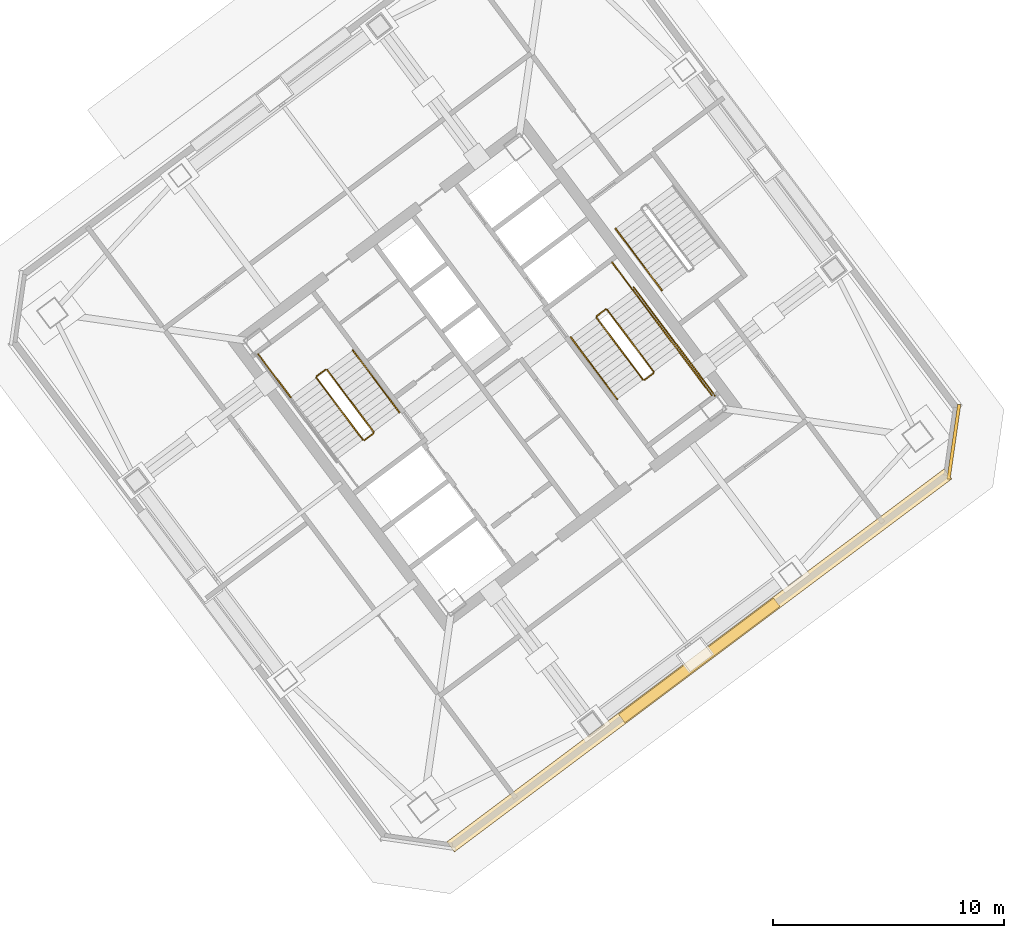
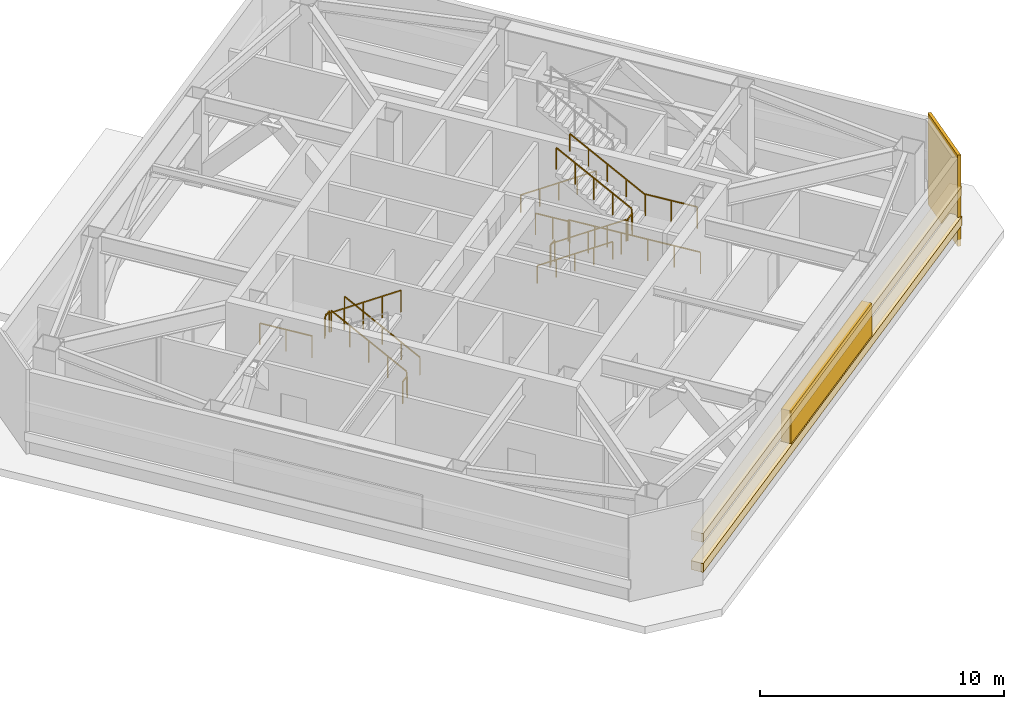
# One storey, part 13 of 15: 16 railings, 3 coverings, 1 shading device.
"""IFC4 building model written with IfcOpenShell, lengths in metres."""

from ifc_helpers import new_model, si_unit, direction, frame, origin, origin_2d, place, context, subcontext, project, spatial, rectangle, extrude, material, layer, layer_set, type_object, element, save


model = new_model("IFC4")

# Units and contexts
model_context = context("Model", 3, precision=1e-05, world=origin(), true_north=direction((0.0, 1.0)))
body_context = subcontext(model_context, "Body", "Model", "MODEL_VIEW")
ifc_project = project(units=[si_unit("LENGTHUNIT", "METRE"), si_unit("AREAUNIT", "SQUARE_METRE"), si_unit("VOLUMEUNIT", "CUBIC_METRE"), si_unit("PLANEANGLEUNIT", "RADIAN"), si_unit("MASSUNIT", "GRAM", prefix="KILO")], contexts=[model_context])

# Site, building, storey
site_placement = place(None, origin())
site = spatial("IfcSite", under=ifc_project, at=site_placement, CompositionType="ELEMENT")
building_placement = place(site_placement, origin())
building = spatial("IfcBuilding", under=site, at=building_placement, Name="Tashvorn Skyway Center", CompositionType="ELEMENT")
storey_placement = place(building_placement, frame((0.0, 0.0, 199.60009765625)))
storey = spatial("IfcBuildingStorey", under=building, at=storey_placement, Name="L54", CompositionType="ELEMENT", Elevation=199.60009765625)

# Coverings
ifc_material_1 = material(Name="Perforated ceramic-coated bronze aluminium solar screen", Category="aluminium")
ifc_layer_1 = layer(ifc_material_1, 0.85009765625)
ifc_layer_set_1 = layer_set([ifc_layer_1], Name="Perforated ceramic-coated bronze aluminium solar screen")
covering_type_1 = type_object("IfcCoveringType", Name="COV-SOLAR-BAND", PredefinedType="CLADDING", material=ifc_layer_set_1)
for number, where, z_axis, x_axis, name in (
    (1, (123.2880859375, 19.615966796875, 1.030029296875), (0.0, 0.0, 1.0), (-0.799999996291, -0.600000004945, 0.0), "Tower 2 L54 South Belt Acoustic Louvre Band 1"),
    (2, (123.2880859375, 19.615966796875, 2.530029296875), (0.0, 0.0, 1.0), (-0.799999996291, -0.600000004945, 0.0), "Tower 2 L54 South Belt Acoustic Louvre Band 2"),
):
    element("IfcCovering", number, at=place(storey_placement, frame(where, z_axis=z_axis, x_axis=x_axis)), inside=storey, type_object=covering_type_1, Name=name, PredefinedType="CLADDING", context=body_context, shape_type="SweptSolid", body=[
        extrude(rectangle(XDim=26.9599609375, YDim=0.550048828125, at=origin_2d()), origin(), (0.0, 0.0, 1.0), 0.43994140625),
    ])
ifc_material_2 = material(Name="Precast concrete C40/50", Category="concrete")
ifc_layer_2 = layer(ifc_material_2, 0.35009765625)
ifc_layer_set_2 = layer_set([ifc_layer_2], Name="Precast concrete C40/50")
covering_type_2 = type_object("IfcCoveringType", Name="COV-STONE-TRIM", PredefinedType="CLADDING", material=ifc_layer_set_2)
covering_placement = place(storey_placement, frame((134.327880859375, 29.095947265625, 0.019775390625), z_axis=(0.0, 0.0, 1.0), x_axis=(0.141421350118, 0.989949494535, 0.0)))
element("IfcCovering", 3, at=covering_placement, inside=storey, type_object=covering_type_2, Name="Tower 2 L54 SE Mojave Limestone Corner Quoin", PredefinedType="CLADDING", context=body_context, shape_type="SweptSolid", body=[
    extrude(rectangle(XDim=3.271240234375, YDim=0.139892578125, at=origin_2d()), origin(), (0.0, 0.0, 1.0), 4.56005859375),
])

# Railings
ifc_material_3 = material(Name="Brushed stainless steel 316", Category="steel")
railing_type_1 = type_object("IfcRailingType", Name="RAIL-HAND-920", PredefinedType="HANDRAIL", material=ifc_material_3)
railing_1_placement = place(storey_placement, frame((110.2880859375, 30.365966796875, 0.1767578125)))
element("IfcRailing", 4, at=railing_1_placement, inside=storey, type_object=railing_type_1, Name="L54 ST-T2-1 stair handrail 1", PredefinedType="HANDRAIL", context=body_context, shape_type="SweptSolid", body=[
    extrude(rectangle(XDim=0.048095703125, YDim=0.048095703125, at=origin_2d()), frame((0.0, 0.0, 0.8759765625), z_axis=(-0.507251334297, 0.676294162098, 0.53415567971), x_axis=(-0.79998256135, -0.600023250829, 0.0)), (0.0, 0.0, 1.0), 3.974609375),
    extrude(rectangle(XDim=0.0419921875, YDim=0.0419921875, at=origin_2d()), origin(), (0.0, 0.0, 1.0), 0.851806640625),
    extrude(rectangle(XDim=0.0419921875, YDim=0.0419921875, at=origin_2d()), frame((-0.50390625, 0.671875, 0.53076171875)), (0.0, 0.0, 1.0), 0.851806640625),
    extrude(rectangle(XDim=0.0419921875, YDim=0.0419921875, at=origin_2d()), frame((-1.008056640625, 1.343994140625, 1.0615234375)), (0.0, 0.0, 1.0), 0.851806640625),
    extrude(rectangle(XDim=0.0419921875, YDim=0.0419921875, at=origin_2d()), frame((-1.51220703125, 2.01611328125, 1.59228515625)), (0.0, 0.0, 1.0), 0.851806640625),
    extrude(rectangle(XDim=0.0419921875, YDim=0.0419921875, at=origin_2d()), frame((-2.01611328125, 2.68798828125, 2.123046875)), (0.0, 0.0, 1.0), 0.851806640625),
])
railing_2_placement = place(storey_placement, frame((117.7119140625, 33.634033203125, 0.1767578125)))
element("IfcRailing", 5, at=railing_2_placement, inside=storey, type_object=railing_type_1, Name="L54 ST-T2-2 stair handrail 1", PredefinedType="HANDRAIL", context=body_context, shape_type="SweptSolid", body=[
    extrude(rectangle(XDim=0.048095703125, YDim=0.048095703125, at=origin_2d()), frame((0.0, 0.0, 0.8759765625), z_axis=(0.507251334297, -0.676294162098, 0.53415567971), x_axis=(0.79998256135, 0.600023250829, 0.0)), (0.0, 0.0, 1.0), 3.974609375),
    extrude(rectangle(XDim=0.0419921875, YDim=0.0419921875, at=origin_2d()), origin(), (0.0, 0.0, 1.0), 0.851806640625),
    extrude(rectangle(XDim=0.0419921875, YDim=0.0419921875, at=origin_2d()), frame((0.50390625, -0.671875, 0.53076171875)), (0.0, 0.0, 1.0), 0.851806640625),
    extrude(rectangle(XDim=0.0419921875, YDim=0.0419921875, at=origin_2d()), frame((1.008056640625, -1.343994140625, 1.0615234375)), (0.0, 0.0, 1.0), 0.851806640625),
    extrude(rectangle(XDim=0.0419921875, YDim=0.0419921875, at=origin_2d()), frame((1.51220703125, -2.01611328125, 1.59228515625)), (0.0, 0.0, 1.0), 0.851806640625),
    extrude(rectangle(XDim=0.0419921875, YDim=0.0419921875, at=origin_2d()), frame((2.01611328125, -2.68798828125, 2.123046875)), (0.0, 0.0, 1.0), 0.851806640625),
])
railing_3_placement = place(storey_placement, frame((122.431884765625, 32.97412109375, 2.476806640625)))
element("IfcRailing", 6, at=railing_3_placement, inside=storey, type_object=railing_type_1, Name="L54 ST-T2-2 stair handrail 2", PredefinedType="HANDRAIL", context=body_context, shape_type="SweptSolid", body=[
    extrude(rectangle(XDim=0.048095703125, YDim=0.048095703125, at=origin_2d()), frame((0.0, 0.0, 0.8759765625), z_axis=(-0.507205711726, 0.676315233875, 0.534172322777), x_axis=(-0.800017438734, -0.59997674765, 0.0)), (0.0, 0.0, 1.0), 3.974365234375),
    extrude(rectangle(XDim=0.0419921875, YDim=0.0419921875, at=origin_2d()), origin(), (0.0, 0.0, 1.0), 0.851806640625),
    extrude(rectangle(XDim=0.0419921875, YDim=0.0419921875, at=origin_2d()), frame((-0.50390625, 0.671875, 0.53076171875)), (0.0, 0.0, 1.0), 0.851806640625),
    extrude(rectangle(XDim=0.0419921875, YDim=0.0419921875, at=origin_2d()), frame((-1.0078125, 1.343994140625, 1.0615234375)), (0.0, 0.0, 1.0), 0.851806640625),
    extrude(rectangle(XDim=0.0419921875, YDim=0.0419921875, at=origin_2d()), frame((-1.511962890625, 2.01611328125, 1.59228515625)), (0.0, 0.0, 1.0), 0.851806640625),
    extrude(rectangle(XDim=0.0419921875, YDim=0.0419921875, at=origin_2d()), frame((-2.015869140625, 2.68798828125, 2.123046875)), (0.0, 0.0, 1.0), 0.851806640625),
])
railing_4_placement = place(storey_placement, frame((119.656005859375, 38.342041015625, 0.1767578125)))
element("IfcRailing", 7, at=railing_4_placement, inside=storey, type_object=railing_type_1, Name="L54 ST-T2-3 stair handrail 1", PredefinedType="HANDRAIL", context=body_context, shape_type="SweptSolid", body=[
    extrude(rectangle(XDim=0.048095703125, YDim=0.048095703125, at=origin_2d()), frame((0.0, 0.0, 0.8759765625), z_axis=(0.507251334297, -0.676294162098, 0.53415567971), x_axis=(0.79998256135, 0.600023250829, 0.0)), (0.0, 0.0, 1.0), 3.974609375),
    extrude(rectangle(XDim=0.0419921875, YDim=0.0419921875, at=origin_2d()), origin(), (0.0, 0.0, 1.0), 0.851806640625),
    extrude(rectangle(XDim=0.0419921875, YDim=0.0419921875, at=origin_2d()), frame((0.50390625, -0.671875, 0.53076171875)), (0.0, 0.0, 1.0), 0.851806640625),
    extrude(rectangle(XDim=0.0419921875, YDim=0.0419921875, at=origin_2d()), frame((1.008056640625, -1.343994140625, 1.0615234375)), (0.0, 0.0, 1.0), 0.851806640625),
    extrude(rectangle(XDim=0.0419921875, YDim=0.0419921875, at=origin_2d()), frame((1.51220703125, -2.01611328125, 1.59228515625)), (0.0, 0.0, 1.0), 0.851806640625),
    extrude(rectangle(XDim=0.0419921875, YDim=0.0419921875, at=origin_2d()), frame((2.01611328125, -2.68798828125, 2.123046875)), (0.0, 0.0, 1.0), 0.851806640625),
])
ifc_material_4 = material(Name="Painted galvanized steel S355", Category="steel")
railing_type_2 = type_object("IfcRailingType", Name="RAIL-STGUARD-1100", PredefinedType="GUARDRAIL", material=ifc_material_4)
railing_5_placement = place(storey_placement, frame((109.16796875, 29.52587890625, 0.1767578125)))
element("IfcRailing", 8, at=railing_5_placement, inside=storey, type_object=railing_type_2, Name="L54 ST-T2-1 stair guard 1", PredefinedType="GUARDRAIL", context=body_context, shape_type="SweptSolid", body=[
    extrude(rectangle(XDim=0.048095703125, YDim=0.048095703125, at=origin_2d()), frame((0.0, 0.0, 1.076171875), z_axis=(-0.507184640597, 0.676348562142, 0.534150131359), x_axis=(-0.800043593035, -0.599941871554, 0.0)), (0.0, 0.0, 1.0), 3.974609375),
    extrude(rectangle(XDim=0.0419921875, YDim=0.0419921875, at=origin_2d()), origin(), (0.0, 0.0, 1.0), 1.052001953125),
    extrude(rectangle(XDim=0.0419921875, YDim=0.0419921875, at=origin_2d()), frame((-0.50390625, 0.672119140625, 0.53076171875)), (0.0, 0.0, 1.0), 1.052001953125),
    extrude(rectangle(XDim=0.0419921875, YDim=0.0419921875, at=origin_2d()), frame((-1.0078125, 1.34423828125, 1.0615234375)), (0.0, 0.0, 1.0), 1.052001953125),
    extrude(rectangle(XDim=0.0419921875, YDim=0.0419921875, at=origin_2d()), frame((-1.511962890625, 2.01611328125, 1.59228515625)), (0.0, 0.0, 1.0), 1.052001953125),
    extrude(rectangle(XDim=0.0419921875, YDim=0.0419921875, at=origin_2d()), frame((-2.015869140625, 2.688232421875, 2.123046875)), (0.0, 0.0, 1.0), 1.052001953125),
])
railing_6_placement = place(storey_placement, frame((107.08203125, 32.22412109375, 2.2998046875)))
element("IfcRailing", 9, at=railing_6_placement, inside=storey, type_object=railing_type_2, Name="L54 ST-T2-1 stair guard 2", PredefinedType="GUARDRAIL", context=body_context, shape_type="SweptSolid", body=[
    extrude(rectangle(XDim=0.048095703125, YDim=0.048095703125, at=origin_2d()), frame((0.0, 0.0, 1.076171875), z_axis=(-0.799938970639, -0.600081363861, 0.0), x_axis=(0.600081363861, -0.799938970639, 0.0)), (0.0, 0.0, 1.0), 0.47998046875),
    extrude(rectangle(XDim=0.0419921875, YDim=0.0419921875, at=origin_2d()), origin(), (0.0, 0.0, 1.0), 1.052001953125),
    extrude(rectangle(XDim=0.0419921875, YDim=0.0419921875, at=origin_2d()), frame((-0.384033203125, -0.2880859375, 0.0)), (0.0, 0.0, 1.0), 1.052001953125),
])
railing_7_placement = place(storey_placement, frame((105.568115234375, 31.02587890625, 2.2998046875)))
element("IfcRailing", 10, at=railing_7_placement, inside=storey, type_object=railing_type_2, Name="L54 ST-T2-1 stair guard 3", PredefinedType="GUARDRAIL", context=body_context, shape_type="SweptSolid", body=[
    extrude(rectangle(XDim=0.048095703125, YDim=0.048095703125, at=origin_2d()), frame((0.0, 0.0, 1.076171875), z_axis=(-0.599983164142, 0.800012626617, 0.0), x_axis=(-0.800012626617, -0.599983164142, 0.0)), (0.0, 0.0, 1.0), 2.3203125),
    extrude(rectangle(XDim=0.0419921875, YDim=0.0419921875, at=origin_2d()), origin(), (0.0, 0.0, 1.0), 1.052001953125),
    extrude(rectangle(XDim=0.0419921875, YDim=0.0419921875, at=origin_2d()), frame((-0.696044921875, 0.92822265625, 0.0)), (0.0, 0.0, 1.0), 1.052001953125),
    extrude(rectangle(XDim=0.0419921875, YDim=0.0419921875, at=origin_2d()), frame((-1.39208984375, 1.856201171875, 0.0)), (0.0, 0.0, 1.0), 1.052001953125),
])
railing_8_placement = place(storey_placement, frame((106.68798828125, 31.865966796875, 2.476806640625)))
element("IfcRailing", 11, at=railing_8_placement, inside=storey, type_object=railing_type_2, Name="L54 ST-T2-1 stair guard 4", PredefinedType="GUARDRAIL", context=body_context, shape_type="SweptSolid", body=[
    extrude(rectangle(XDim=0.048095703125, YDim=0.048095703125, at=origin_2d()), frame((0.0, 0.0, 1.076171875), z_axis=(0.507251334297, -0.676294162098, 0.53415567971), x_axis=(0.79998256135, 0.600023250829, 0.0)), (0.0, 0.0, 1.0), 3.974609375),
    extrude(rectangle(XDim=0.0419921875, YDim=0.0419921875, at=origin_2d()), origin(), (0.0, 0.0, 1.0), 1.052001953125),
    extrude(rectangle(XDim=0.0419921875, YDim=0.0419921875, at=origin_2d()), frame((0.50390625, -0.671875, 0.53076171875)), (0.0, 0.0, 1.0), 1.052001953125),
    extrude(rectangle(XDim=0.0419921875, YDim=0.0419921875, at=origin_2d()), frame((1.008056640625, -1.343994140625, 1.0615234375)), (0.0, 0.0, 1.0), 1.052001953125),
    extrude(rectangle(XDim=0.0419921875, YDim=0.0419921875, at=origin_2d()), frame((1.51220703125, -2.01611328125, 1.59228515625)), (0.0, 0.0, 1.0), 1.052001953125),
    extrude(rectangle(XDim=0.0419921875, YDim=0.0419921875, at=origin_2d()), frame((2.01611328125, -2.68798828125, 2.123046875)), (0.0, 0.0, 1.0), 1.052001953125),
])
railing_9_placement = place(storey_placement, frame((109.157958984375, 29.4560546875, 0.0)))
element("IfcRailing", 12, at=railing_9_placement, inside=storey, type_object=railing_type_2, Name="L54 ST-T2-1 stair guard 5", PredefinedType="GUARDRAIL", context=body_context, shape_type="SweptSolid", body=[
    extrude(rectangle(XDim=0.048095703125, YDim=0.048095703125, at=origin_2d()), frame((0.0, 0.0, 1.076171875), z_axis=(-0.799938970639, -0.600081363861, 0.0), x_axis=(0.600081363861, -0.799938970639, 0.0)), (0.0, 0.0, 1.0), 0.47998046875),
    extrude(rectangle(XDim=0.0419921875, YDim=0.0419921875, at=origin_2d()), origin(), (0.0, 0.0, 1.0), 1.052001953125),
    extrude(rectangle(XDim=0.0419921875, YDim=0.0419921875, at=origin_2d()), frame((-0.384033203125, -0.2880859375, 0.0)), (0.0, 0.0, 1.0), 1.052001953125),
])
railing_10_placement = place(storey_placement, frame((118.83203125, 34.47412109375, 0.1767578125)))
element("IfcRailing", 13, at=railing_10_placement, inside=storey, type_object=railing_type_2, Name="L54 ST-T2-2 stair guard 1", PredefinedType="GUARDRAIL", context=body_context, shape_type="SweptSolid", body=[
    extrude(rectangle(XDim=0.048095703125, YDim=0.048095703125, at=origin_2d()), frame((0.0, 0.0, 1.076171875), z_axis=(0.507184640597, -0.676348562142, 0.534150131359), x_axis=(0.800043593035, 0.599941871554, 0.0)), (0.0, 0.0, 1.0), 3.974609375),
    extrude(rectangle(XDim=0.0419921875, YDim=0.0419921875, at=origin_2d()), origin(), (0.0, 0.0, 1.0), 1.052001953125),
    extrude(rectangle(XDim=0.0419921875, YDim=0.0419921875, at=origin_2d()), frame((0.50390625, -0.672119140625, 0.53076171875)), (0.0, 0.0, 1.0), 1.052001953125),
    extrude(rectangle(XDim=0.0419921875, YDim=0.0419921875, at=origin_2d()), frame((1.0078125, -1.34423828125, 1.0615234375)), (0.0, 0.0, 1.0), 1.052001953125),
    extrude(rectangle(XDim=0.0419921875, YDim=0.0419921875, at=origin_2d()), frame((1.511962890625, -2.01611328125, 1.59228515625)), (0.0, 0.0, 1.0), 1.052001953125),
    extrude(rectangle(XDim=0.0419921875, YDim=0.0419921875, at=origin_2d()), frame((2.015869140625, -2.688232421875, 2.123046875)), (0.0, 0.0, 1.0), 1.052001953125),
])
railing_11_placement = place(storey_placement, frame((120.91796875, 31.77587890625, 2.2998046875)))
element("IfcRailing", 14, at=railing_11_placement, inside=storey, type_object=railing_type_2, Name="L54 ST-T2-2 stair guard 2", PredefinedType="GUARDRAIL", context=body_context, shape_type="SweptSolid", body=[
    extrude(rectangle(XDim=0.048095703125, YDim=0.048095703125, at=origin_2d()), frame((0.0, 0.0, 1.076171875), z_axis=(0.799938970639, 0.600081363861, 0.0), x_axis=(-0.600081363861, 0.799938970639, 0.0)), (0.0, 0.0, 1.0), 0.47998046875),
    extrude(rectangle(XDim=0.0419921875, YDim=0.0419921875, at=origin_2d()), origin(), (0.0, 0.0, 1.0), 1.052001953125),
    extrude(rectangle(XDim=0.0419921875, YDim=0.0419921875, at=origin_2d()), frame((0.384033203125, 0.2880859375, 0.0)), (0.0, 0.0, 1.0), 1.052001953125),
])
railing_12_placement = place(storey_placement, frame((122.431884765625, 32.97412109375, 2.2998046875)))
element("IfcRailing", 15, at=railing_12_placement, inside=storey, type_object=railing_type_2, Name="L54 ST-T2-2 stair guard 3", PredefinedType="GUARDRAIL", context=body_context, shape_type="SweptSolid", body=[
    extrude(rectangle(XDim=0.048095703125, YDim=0.048095703125, at=origin_2d()), frame((0.0, 0.0, 1.076171875), z_axis=(0.599983164142, -0.800012626617, 0.0), x_axis=(0.800012626617, 0.599983164142, 0.0)), (0.0, 0.0, 1.0), 2.3203125),
    extrude(rectangle(XDim=0.0419921875, YDim=0.0419921875, at=origin_2d()), origin(), (0.0, 0.0, 1.0), 1.052001953125),
    extrude(rectangle(XDim=0.0419921875, YDim=0.0419921875, at=origin_2d()), frame((0.696044921875, -0.92822265625, 0.0)), (0.0, 0.0, 1.0), 1.052001953125),
    extrude(rectangle(XDim=0.0419921875, YDim=0.0419921875, at=origin_2d()), frame((1.39208984375, -1.856201171875, 0.0)), (0.0, 0.0, 1.0), 1.052001953125),
])
railing_13_placement = place(storey_placement, frame((121.31201171875, 32.134033203125, 2.476806640625)))
element("IfcRailing", 16, at=railing_13_placement, inside=storey, type_object=railing_type_2, Name="L54 ST-T2-2 stair guard 4", PredefinedType="GUARDRAIL", context=body_context, shape_type="SweptSolid", body=[
    extrude(rectangle(XDim=0.048095703125, YDim=0.048095703125, at=origin_2d()), frame((0.0, 0.0, 1.076171875), z_axis=(-0.507251334297, 0.676294162098, 0.53415567971), x_axis=(-0.79998256135, -0.600023250829, 0.0)), (0.0, 0.0, 1.0), 3.974609375),
    extrude(rectangle(XDim=0.0419921875, YDim=0.0419921875, at=origin_2d()), origin(), (0.0, 0.0, 1.0), 1.052001953125),
    extrude(rectangle(XDim=0.0419921875, YDim=0.0419921875, at=origin_2d()), frame((-0.50390625, 0.671875, 0.53076171875)), (0.0, 0.0, 1.0), 1.052001953125),
    extrude(rectangle(XDim=0.0419921875, YDim=0.0419921875, at=origin_2d()), frame((-1.008056640625, 1.343994140625, 1.0615234375)), (0.0, 0.0, 1.0), 1.052001953125),
    extrude(rectangle(XDim=0.0419921875, YDim=0.0419921875, at=origin_2d()), frame((-1.51220703125, 2.01611328125, 1.59228515625)), (0.0, 0.0, 1.0), 1.052001953125),
    extrude(rectangle(XDim=0.0419921875, YDim=0.0419921875, at=origin_2d()), frame((-2.01611328125, 2.68798828125, 2.123046875)), (0.0, 0.0, 1.0), 1.052001953125),
])
railing_14_placement = place(storey_placement, frame((118.842041015625, 34.5439453125, 0.0)))
element("IfcRailing", 17, at=railing_14_placement, inside=storey, type_object=railing_type_2, Name="L54 ST-T2-2 stair guard 5", PredefinedType="GUARDRAIL", context=body_context, shape_type="SweptSolid", body=[
    extrude(rectangle(XDim=0.048095703125, YDim=0.048095703125, at=origin_2d()), frame((0.0, 0.0, 1.076171875), z_axis=(0.799938970639, 0.600081363861, 0.0), x_axis=(-0.600081363861, 0.799938970639, 0.0)), (0.0, 0.0, 1.0), 0.47998046875),
    extrude(rectangle(XDim=0.0419921875, YDim=0.0419921875, at=origin_2d()), origin(), (0.0, 0.0, 1.0), 1.052001953125),
    extrude(rectangle(XDim=0.0419921875, YDim=0.0419921875, at=origin_2d()), frame((0.384033203125, 0.2880859375, 0.0)), (0.0, 0.0, 1.0), 1.052001953125),
])
railing_15_placement = place(storey_placement, frame((119.50390625, 36.8779296875, 0.0)))
element("IfcRailing", 18, at=railing_15_placement, inside=storey, type_object=railing_type_2, Name="L54 ST-T2-2 stair guard 6", PredefinedType="GUARDRAIL", context=body_context, shape_type="SweptSolid", body=[
    extrude(rectangle(XDim=0.048095703125, YDim=0.048095703125, at=origin_2d()), frame((0.0, 0.0, 1.076171875), z_axis=(0.600102796382, -0.799922892393, 0.0), x_axis=(0.799922892393, 0.600102796382, 0.0)), (0.0, 0.0, 1.0), 1.52001953125),
    extrude(rectangle(XDim=0.0419921875, YDim=0.0419921875, at=origin_2d()), origin(), (0.0, 0.0, 1.0), 1.052001953125),
    extrude(rectangle(XDim=0.0419921875, YDim=0.0419921875, at=origin_2d()), frame((0.4560546875, -0.60791015625, 0.0)), (0.0, 0.0, 1.0), 1.052001953125),
    extrude(rectangle(XDim=0.0419921875, YDim=0.0419921875, at=origin_2d()), frame((0.912109375, -1.2158203125, 0.0)), (0.0, 0.0, 1.0), 1.052001953125),
])
railing_16_placement = place(storey_placement, frame((120.43603515625, 35.802001953125, 0.0)))
element("IfcRailing", 19, at=railing_16_placement, inside=storey, type_object=railing_type_2, Name="L54 ST-T2-2 stair guard 7", PredefinedType="GUARDRAIL", context=body_context, shape_type="SweptSolid", body=[
    extrude(rectangle(XDim=0.048095703125, YDim=0.048095703125, at=origin_2d()), frame((0.0, 0.0, 1.076171875), z_axis=(0.6, -0.8, 0.0), x_axis=(0.8, 0.6, 0.0)), (0.0, 0.0, 1.0), 5.880126953125),
    extrude(rectangle(XDim=0.0419921875, YDim=0.0419921875, at=origin_2d()), origin(), (0.0, 0.0, 1.0), 1.052001953125),
    extrude(rectangle(XDim=0.0419921875, YDim=0.0419921875, at=origin_2d()), frame((0.70556640625, -0.94091796875, 0.0)), (0.0, 0.0, 1.0), 1.052001953125),
    extrude(rectangle(XDim=0.0419921875, YDim=0.0419921875, at=origin_2d()), frame((1.4111328125, -1.881591796875, 0.0)), (0.0, 0.0, 1.0), 1.052001953125),
    extrude(rectangle(XDim=0.0419921875, YDim=0.0419921875, at=origin_2d()), frame((2.116943359375, -2.822509765625, 0.0)), (0.0, 0.0, 1.0), 1.052001953125),
    extrude(rectangle(XDim=0.0419921875, YDim=0.0419921875, at=origin_2d()), frame((2.822509765625, -3.76318359375, 0.0)), (0.0, 0.0, 1.0), 1.052001953125),
    extrude(rectangle(XDim=0.0419921875, YDim=0.0419921875, at=origin_2d()), frame((3.528076171875, -4.7041015625, 0.0)), (0.0, 0.0, 1.0), 1.052001953125),
])

# Shading device
ifc_material_5 = material(Name="Thermally broken bronze-anodized aluminium 6063-T6", Category="aluminium")
ifc_layer_3 = layer(ifc_material_5, 0.1201171875)
ifc_layer_set_3 = layer_set([ifc_layer_3], Name="Thermally broken bronze-anodized aluminium 6063-T6")
shading_device_type = type_object("IfcShadingDeviceType", Name="SHD-LOUVRE-450", PredefinedType="JALOUSIE", material=ifc_layer_set_3)
shading_device_placement = place(storey_placement, frame((123.2880859375, 19.615966796875, 1.2998046875), z_axis=(0.0, 0.0, 1.0), x_axis=(-0.799999996291, -0.600000004945, 0.0)))
element("IfcShadingDevice", 20, at=shading_device_placement, inside=storey, type_object=shading_device_type, Name="Tower 2 L54 South Mechanical Intake Louvre", PredefinedType="JALOUSIE", context=body_context, shape_type="SweptSolid", body=[
    extrude(rectangle(XDim=8.39990234375, YDim=0.449951171875, at=origin_2d()), origin(), (0.0, 0.0, 1.0), 1.800048828125),
])

save(model, "model.ifc")
